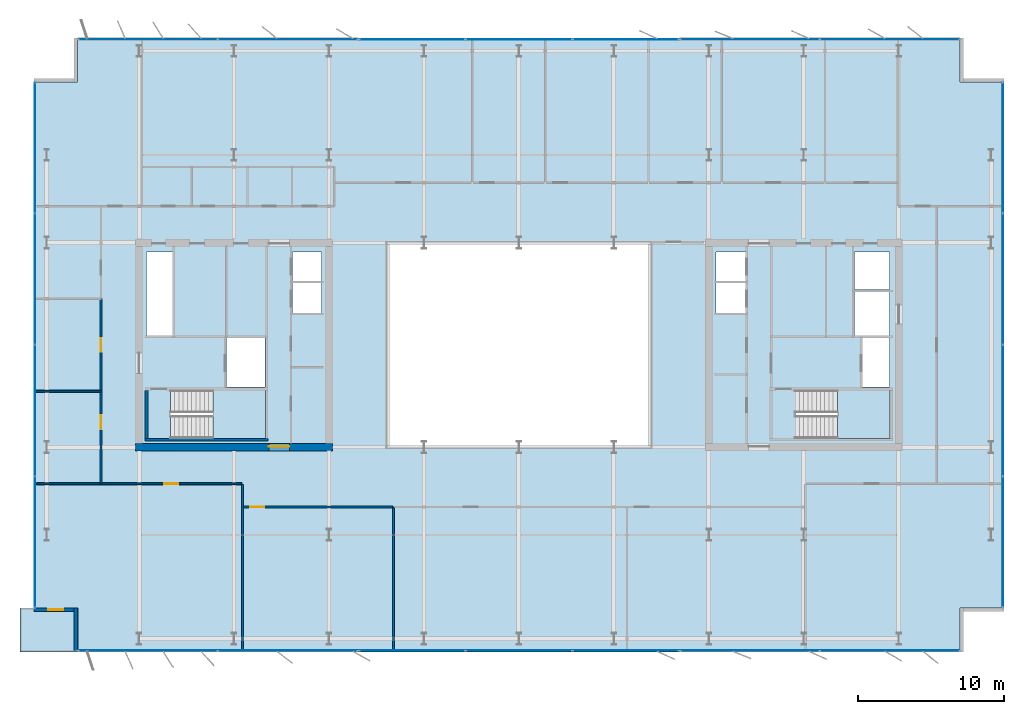
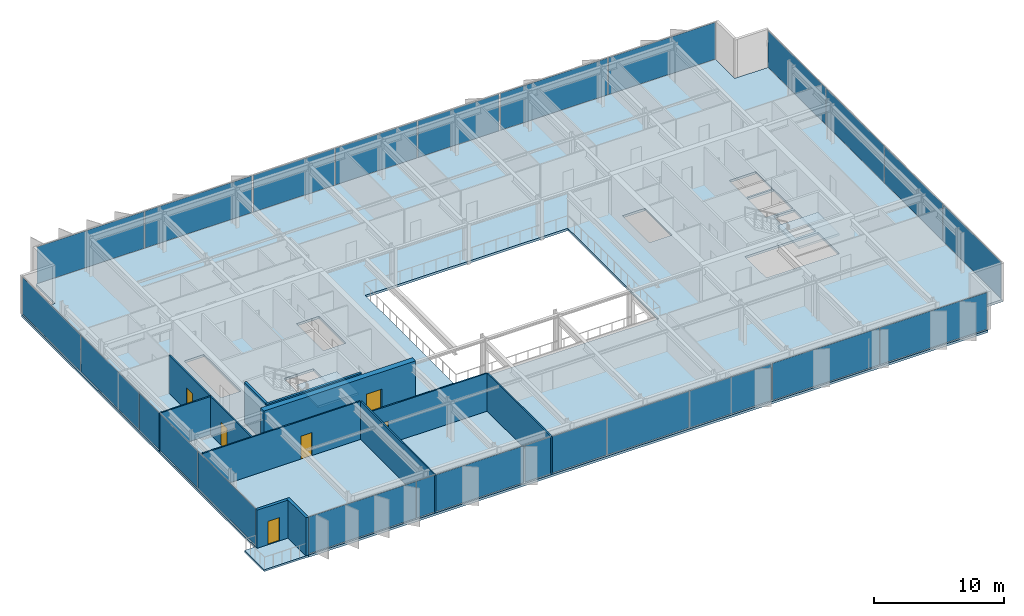
# One storey, part 16 of 23: 22 plates, 12 walls, 6 doors, 4 slabs, 6 openings, 10 elements without a shape of their own.
"""IFC4 building model written with IfcOpenShell, lengths in metres."""

from ifc_helpers import new_model, si_unit, direction, frame, frame_2d, origin, origin_2d, place, context, subcontext, project, spatial, polyline, rectangle, outline, extrude, material, layer, layer_set, type_object, element, fill, aggregate, save


model = new_model("IFC4")

# Units and contexts
model_context = context("Model", 3, precision=1e-05, world=origin(), true_north=direction((0.0, 1.0)))
body_context = subcontext(model_context, "Body", "Model", "MODEL_VIEW")
ifc_project = project(units=[si_unit("LENGTHUNIT", "METRE"), si_unit("AREAUNIT", "SQUARE_METRE"), si_unit("VOLUMEUNIT", "CUBIC_METRE"), si_unit("PLANEANGLEUNIT", "RADIAN"), si_unit("MASSUNIT", "GRAM", prefix="KILO")], contexts=[model_context])

# Site, building, storey
site_placement = place(None, origin())
site = spatial("IfcSite", under=ifc_project, at=site_placement, CompositionType="ELEMENT")
building_placement = place(site_placement, origin())
building = spatial("IfcBuilding", under=site, at=building_placement, Name="Putna Gate Headquarters", CompositionType="ELEMENT")
storey_placement = place(building_placement, frame((0.0, 0.0, 232.800048828125)))
storey = spatial("IfcBuildingStorey", under=building, at=storey_placement, Name="L58", CompositionType="ELEMENT", Elevation=232.800048828125)

# Stair, slab
ifc_material_1 = material(Name="Concrete C40/50", Category="concrete")
stair_type_1 = type_object("IfcStairType", Name="STAIR-ST1", PredefinedType="HALF_TURN_STAIR", material=ifc_material_1)
stair_1_placement = place(storey_placement, origin())
stair_1 = element("IfcStair", 1, at=stair_1_placement, inside=storey, type_object=stair_type_1, Name="L58 West Core Exit Stair ST1", PredefinedType="HALF_TURN_STAIR")
ifc_layer_1 = layer(ifc_material_1, 0.199951171875)
ifc_layer_set_1 = layer_set([ifc_layer_1], Name="Concrete C40/50")
slab_type_1 = type_object("IfcSlabType", Name="LANDING-ST1", PredefinedType="LANDING", material=ifc_layer_set_1)
slab_1_placement = place(storey_placement, frame((0.0, 0.0, 1.699951171875)))
slab_1 = element("IfcSlab", 2, at=slab_1_placement, type_object=slab_type_1, Name="ST1 landing 1", PredefinedType="LANDING", context=body_context, shape_type="SweptSolid", body=[
    extrude(outline(polyline([(18.050048828125, 19.60009765625), (21.64990234375, 19.60009765625), (21.64990234375, 22.89990234375), (18.050048828125, 22.89990234375), (18.050048828125, 19.60009765625)])), origin(), (0.0, 0.0, 1.0), 0.199951171875),
])
aggregate(stair_1, [slab_1])

stair_type_2 = type_object("IfcStairType", Name="STAIR-ST2", PredefinedType="HALF_TURN_STAIR", material=ifc_material_1)
stair_2_placement = place(storey_placement, origin())
stair_2 = element("IfcStair", 3, at=stair_2_placement, inside=storey, type_object=stair_type_2, Name="L58 East Core Exit Stair ST2", PredefinedType="HALF_TURN_STAIR")
ifc_layer_2 = layer(ifc_material_1, 0.199951171875)
ifc_layer_set_2 = layer_set([ifc_layer_2], Name="Concrete C40/50")
slab_type_2 = type_object("IfcSlabType", Name="LANDING-ST2", PredefinedType="LANDING", material=ifc_layer_set_2)
slab_2_placement = place(storey_placement, frame((0.0, 0.0, 1.699951171875)))
slab_2 = element("IfcSlab", 4, at=slab_2_placement, type_object=slab_type_2, Name="ST2 landing 1", PredefinedType="LANDING", context=body_context, shape_type="SweptSolid", body=[
    extrude(outline(polyline([(60.800048828125, 19.60009765625), (64.39990234375, 19.60009765625), (64.39990234375, 22.89990234375), (60.800048828125, 22.89990234375), (60.800048828125, 19.60009765625)])), origin(), (0.0, 0.0, 1.0), 0.199951171875),
])
aggregate(stair_2, [slab_2])

# Curtain wall, plates
ifc_material_2 = material(Name="Anodised bronze aluminium curtain wall", Category="aluminium")
ifc_layer_3 = layer(ifc_material_2, 0.139892578125)
ifc_layer_set_3 = layer_set([ifc_layer_3], Name="Anodised bronze aluminium curtain wall")
curtain_wall_type_1 = type_object("IfcCurtainWallType", Name="CW-SYS-Z4", PredefinedType="USERDEFINED", material=ifc_layer_set_3)
curtain_wall_1_placement = place(storey_placement, origin())
curtain_wall_1 = element("IfcCurtainWall", 5, at=curtain_wall_1_placement, inside=storey, type_object=curtain_wall_type_1, Name="L58 South West Curtain Wall", ObjectType="STICK CURTAIN WALL", PredefinedType="USERDEFINED")
ifc_material_3 = material(Name="Solar-control triple low-E glass", Category="glass")
ifc_layer_4 = layer(ifc_material_3, 0.02587890625)
ifc_layer_set_4 = layer_set([ifc_layer_4], Name="Solar-control triple low-E glass")
plate_type_1 = type_object("IfcPlateType", Name="PAN-CWP-4", PredefinedType="CURTAIN_PANEL", material=ifc_layer_set_4)
plate_1_placement = place(storey_placement, frame((13.614990234375, 5.080078125, 0.06005859375), z_axis=(0.0, 0.0, 1.0), x_axis=(1.0, 0.0, 0.0)))
plate_1 = element("IfcPlate", 6, at=plate_1_placement, type_object=plate_type_1, Name="CWS-4 panel 1.1", PredefinedType="CURTAIN_PANEL", context=body_context, shape_type="SweptSolid", body=[
    extrude(rectangle(XDim=9.510009765625, YDim=0.02587890625, at=origin_2d()), origin(), (0.0, 0.0, 1.0), 3.4599609375),
])
plate_2_placement = place(storey_placement, frame((23.18505859375, 5.080078125, 0.06005859375), z_axis=(0.0, 0.0, 1.0), x_axis=(1.0, 0.0, 0.0)))
plate_2 = element("IfcPlate", 7, at=plate_2_placement, type_object=plate_type_1, Name="CWS-4 panel 2.1", PredefinedType="CURTAIN_PANEL", context=body_context, shape_type="SweptSolid", body=[
    extrude(rectangle(XDim=9.510009765625, YDim=0.02587890625, at=origin_2d()), origin(), (0.0, 0.0, 1.0), 3.4599609375),
])
aggregate(curtain_wall_1, [plate_1, plate_2])

curtain_wall_2_placement = place(storey_placement, origin())
curtain_wall_2 = element("IfcCurtainWall", 8, at=curtain_wall_2_placement, inside=storey, type_object=curtain_wall_type_1, Name="L58 South East Curtain Wall", ObjectType="STICK CURTAIN WALL", PredefinedType="USERDEFINED")
plate_3_placement = place(storey_placement, frame((54.81494140625, 5.080078125, 0.06005859375), z_axis=(0.0, 0.0, 1.0), x_axis=(1.0, 0.0, 0.0)))
plate_3 = element("IfcPlate", 9, at=plate_3_placement, type_object=plate_type_1, Name="CWS-4 panel 1.1", PredefinedType="CURTAIN_PANEL", context=body_context, shape_type="SweptSolid", body=[
    extrude(rectangle(XDim=9.510009765625, YDim=0.02587890625, at=origin_2d()), origin(), (0.0, 0.0, 1.0), 3.4599609375),
])
plate_4_placement = place(storey_placement, frame((64.385009765625, 5.080078125, 0.06005859375), z_axis=(0.0, 0.0, 1.0), x_axis=(1.0, 0.0, 0.0)))
plate_4 = element("IfcPlate", 10, at=plate_4_placement, type_object=plate_type_1, Name="CWS-4 panel 2.1", PredefinedType="CURTAIN_PANEL", context=body_context, shape_type="SweptSolid", body=[
    extrude(rectangle(XDim=9.510009765625, YDim=0.02587890625, at=origin_2d()), origin(), (0.0, 0.0, 1.0), 3.4599609375),
])
aggregate(curtain_wall_2, [plate_3, plate_4])

curtain_wall_3_placement = place(storey_placement, origin())
curtain_wall_3 = element("IfcCurtainWall", 11, at=curtain_wall_3_placement, inside=storey, type_object=curtain_wall_type_1, Name="L58 North West Curtain Wall", ObjectType="STICK CURTAIN WALL", PredefinedType="USERDEFINED")
plate_5_placement = place(storey_placement, frame((13.614990234375, 46.919921875, 0.06005859375), z_axis=(0.0, 0.0, 1.0), x_axis=(1.0, 0.0, 0.0)))
plate_5 = element("IfcPlate", 12, at=plate_5_placement, type_object=plate_type_1, Name="CWS-4 panel 1.1", PredefinedType="CURTAIN_PANEL", context=body_context, shape_type="SweptSolid", body=[
    extrude(rectangle(XDim=9.510009765625, YDim=0.02587890625, at=origin_2d()), origin(), (0.0, 0.0, 1.0), 3.4599609375),
])
plate_6_placement = place(storey_placement, frame((23.18505859375, 46.919921875, 0.06005859375), z_axis=(0.0, 0.0, 1.0), x_axis=(1.0, 0.0, 0.0)))
plate_6 = element("IfcPlate", 13, at=plate_6_placement, type_object=plate_type_1, Name="CWS-4 panel 2.1", PredefinedType="CURTAIN_PANEL", context=body_context, shape_type="SweptSolid", body=[
    extrude(rectangle(XDim=9.510009765625, YDim=0.02587890625, at=origin_2d()), origin(), (0.0, 0.0, 1.0), 3.4599609375),
])
aggregate(curtain_wall_3, [plate_5, plate_6])

curtain_wall_4_placement = place(storey_placement, origin())
curtain_wall_4 = element("IfcCurtainWall", 14, at=curtain_wall_4_placement, inside=storey, type_object=curtain_wall_type_1, Name="L58 North East Curtain Wall", ObjectType="STICK CURTAIN WALL", PredefinedType="USERDEFINED")
plate_7_placement = place(storey_placement, frame((54.81494140625, 46.919921875, 0.06005859375), z_axis=(0.0, 0.0, 1.0), x_axis=(1.0, 0.0, 0.0)))
plate_7 = element("IfcPlate", 15, at=plate_7_placement, type_object=plate_type_1, Name="CWS-4 panel 1.1", PredefinedType="CURTAIN_PANEL", context=body_context, shape_type="SweptSolid", body=[
    extrude(rectangle(XDim=9.510009765625, YDim=0.02587890625, at=origin_2d()), origin(), (0.0, 0.0, 1.0), 3.4599609375),
])
plate_8_placement = place(storey_placement, frame((64.385009765625, 46.919921875, 0.06005859375), z_axis=(0.0, 0.0, 1.0), x_axis=(1.0, 0.0, 0.0)))
plate_8 = element("IfcPlate", 16, at=plate_8_placement, type_object=plate_type_1, Name="CWS-4 panel 2.1", PredefinedType="CURTAIN_PANEL", context=body_context, shape_type="SweptSolid", body=[
    extrude(rectangle(XDim=9.510009765625, YDim=0.02587890625, at=origin_2d()), origin(), (0.0, 0.0, 1.0), 3.4599609375),
])
aggregate(curtain_wall_4, [plate_7, plate_8])

curtain_wall_5_placement = place(storey_placement, origin())
curtain_wall_5 = element("IfcCurtainWall", 17, at=curtain_wall_5_placement, inside=storey, type_object=curtain_wall_type_1, Name="L58 West Curtain Wall", ObjectType="STICK CURTAIN WALL", PredefinedType="USERDEFINED")
plate_9_placement = place(storey_placement, frame((5.8798828125, 12.514892578125, 0.06005859375), z_axis=(0.0, 0.0, 1.0), x_axis=(0.0, 1.0, 0.0)))
plate_9 = element("IfcPlate", 18, at=plate_9_placement, type_object=plate_type_1, Name="CWS-4 panel 1.1", PredefinedType="CURTAIN_PANEL", context=body_context, shape_type="SweptSolid", body=[
    extrude(rectangle(XDim=8.909912109375, YDim=0.02587890625, at=origin_2d()), origin(), (0.0, 0.0, 1.0), 3.4599609375),
])
plate_10_placement = place(storey_placement, frame((5.8798828125, 21.5, 0.06005859375), z_axis=(0.0, 0.0, 1.0), x_axis=(0.0, 1.0, 0.0)))
plate_10 = element("IfcPlate", 19, at=plate_10_placement, type_object=plate_type_1, Name="CWS-4 panel 2.1", PredefinedType="CURTAIN_PANEL", context=body_context, shape_type="SweptSolid", body=[
    extrude(rectangle(XDim=8.93994140625, YDim=0.02587890625, at=origin_2d()), origin(), (0.0, 0.0, 1.0), 3.4599609375),
])
plate_11_placement = place(storey_placement, frame((5.8798828125, 30.5, 0.06005859375), z_axis=(0.0, 0.0, 1.0), x_axis=(0.0, 1.0, 0.0)))
plate_11 = element("IfcPlate", 20, at=plate_11_placement, type_object=plate_type_1, Name="CWS-4 panel 3.1", PredefinedType="CURTAIN_PANEL", context=body_context, shape_type="SweptSolid", body=[
    extrude(rectangle(XDim=8.93994140625, YDim=0.02587890625, at=origin_2d()), origin(), (0.0, 0.0, 1.0), 3.4599609375),
])
plate_12_placement = place(storey_placement, frame((5.8798828125, 39.485107421875, 0.06005859375), z_axis=(0.0, 0.0, 1.0), x_axis=(0.0, 1.0, 0.0)))
plate_12 = element("IfcPlate", 21, at=plate_12_placement, type_object=plate_type_1, Name="CWS-4 panel 4.1", PredefinedType="CURTAIN_PANEL", context=body_context, shape_type="SweptSolid", body=[
    extrude(rectangle(XDim=8.909912109375, YDim=0.02587890625, at=origin_2d()), origin(), (0.0, 0.0, 1.0), 3.4599609375),
])
aggregate(curtain_wall_5, [plate_9, plate_10, plate_11, plate_12])

curtain_wall_6_placement = place(storey_placement, origin())
curtain_wall_6 = element("IfcCurtainWall", 22, at=curtain_wall_6_placement, inside=storey, type_object=curtain_wall_type_1, Name="L58 East Curtain Wall", ObjectType="STICK CURTAIN WALL", PredefinedType="USERDEFINED")
plate_13_placement = place(storey_placement, frame((72.1201171875, 12.514892578125, 0.06005859375), z_axis=(0.0, 0.0, 1.0), x_axis=(0.0, 1.0, 0.0)))
plate_13 = element("IfcPlate", 23, at=plate_13_placement, type_object=plate_type_1, Name="CWS-4 panel 1.1", PredefinedType="CURTAIN_PANEL", context=body_context, shape_type="SweptSolid", body=[
    extrude(rectangle(XDim=8.909912109375, YDim=0.02587890625, at=origin_2d()), origin(), (0.0, 0.0, 1.0), 3.4599609375),
])
plate_14_placement = place(storey_placement, frame((72.1201171875, 21.5, 0.06005859375), z_axis=(0.0, 0.0, 1.0), x_axis=(0.0, 1.0, 0.0)))
plate_14 = element("IfcPlate", 24, at=plate_14_placement, type_object=plate_type_1, Name="CWS-4 panel 2.1", PredefinedType="CURTAIN_PANEL", context=body_context, shape_type="SweptSolid", body=[
    extrude(rectangle(XDim=8.93994140625, YDim=0.02587890625, at=origin_2d()), origin(), (0.0, 0.0, 1.0), 3.4599609375),
])
plate_15_placement = place(storey_placement, frame((72.1201171875, 30.5, 0.06005859375), z_axis=(0.0, 0.0, 1.0), x_axis=(0.0, 1.0, 0.0)))
plate_15 = element("IfcPlate", 25, at=plate_15_placement, type_object=plate_type_1, Name="CWS-4 panel 3.1", PredefinedType="CURTAIN_PANEL", context=body_context, shape_type="SweptSolid", body=[
    extrude(rectangle(XDim=8.93994140625, YDim=0.02587890625, at=origin_2d()), origin(), (0.0, 0.0, 1.0), 3.4599609375),
])
plate_16_placement = place(storey_placement, frame((72.1201171875, 39.485107421875, 0.06005859375), z_axis=(0.0, 0.0, 1.0), x_axis=(0.0, 1.0, 0.0)))
plate_16 = element("IfcPlate", 26, at=plate_16_placement, type_object=plate_type_1, Name="CWS-4 panel 4.1", PredefinedType="CURTAIN_PANEL", context=body_context, shape_type="SweptSolid", body=[
    extrude(rectangle(XDim=8.909912109375, YDim=0.02587890625, at=origin_2d()), origin(), (0.0, 0.0, 1.0), 3.4599609375),
])
aggregate(curtain_wall_6, [plate_13, plate_14, plate_15, plate_16])

ifc_layer_5 = layer(ifc_material_2, 0.179931640625)
ifc_layer_set_5 = layer_set([ifc_layer_5], Name="Anodised bronze aluminium curtain wall")
curtain_wall_type_2 = type_object("IfcCurtainWallType", Name="CW-SYS-ATR", PredefinedType="USERDEFINED", material=ifc_layer_set_5)
curtain_wall_7_placement = place(storey_placement, origin())
curtain_wall_7 = element("IfcCurtainWall", 27, at=curtain_wall_7_placement, inside=storey, type_object=curtain_wall_type_2, Name="L58 South Atrium Clear Glazing", ObjectType="ATRIUM GLAZING", PredefinedType="USERDEFINED")
ifc_material_4 = material(Name="Clear low-iron triple glazing", Category="glass")
ifc_layer_6 = layer(ifc_material_4, 0.0400390625)
ifc_layer_set_6 = layer_set([ifc_layer_6], Name="Clear low-iron triple glazing")
plate_type_2 = type_object("IfcPlateType", Name="PAN-CWP-AT", PredefinedType="CURTAIN_PANEL", material=ifc_layer_set_6)
plate_17_placement = place(storey_placement, frame((31.68408203125, 5.080078125, 0.070068359375), z_axis=(0.0, 0.0, 1.0), x_axis=(1.0, 0.0, 0.0)))
plate_17 = element("IfcPlate", 28, at=plate_17_placement, type_object=plate_type_2, Name="CWS-AT panel 1.1", PredefinedType="CURTAIN_PANEL", context=body_context, shape_type="SweptSolid", body=[
    extrude(rectangle(XDim=7.228271484375, YDim=0.0400390625, at=origin_2d()), origin(), (0.0, 0.0, 1.0), 3.43994140625),
])
plate_18_placement = place(storey_placement, frame((39.0, 5.080078125, 0.070068359375), z_axis=(0.0, 0.0, 1.0), x_axis=(1.0, 0.0, 0.0)))
plate_18 = element("IfcPlate", 29, at=plate_18_placement, type_object=plate_type_2, Name="CWS-AT panel 2.1", PredefinedType="CURTAIN_PANEL", context=body_context, shape_type="SweptSolid", body=[
    extrude(rectangle(XDim=7.263427734375, YDim=0.0400390625, at=origin_2d()), origin(), (0.0, 0.0, 1.0), 3.43994140625),
])
plate_19_placement = place(storey_placement, frame((46.31591796875, 5.080078125, 0.070068359375), z_axis=(0.0, 0.0, 1.0), x_axis=(1.0, 0.0, 0.0)))
plate_19 = element("IfcPlate", 30, at=plate_19_placement, type_object=plate_type_2, Name="CWS-AT panel 3.1", PredefinedType="CURTAIN_PANEL", context=body_context, shape_type="SweptSolid", body=[
    extrude(rectangle(XDim=7.228271484375, YDim=0.0400390625, at=origin_2d()), origin(), (0.0, 0.0, 1.0), 3.43994140625),
])
aggregate(curtain_wall_7, [plate_17, plate_18, plate_19])

curtain_wall_8_placement = place(storey_placement, origin())
curtain_wall_8 = element("IfcCurtainWall", 31, at=curtain_wall_8_placement, inside=storey, type_object=curtain_wall_type_2, Name="L58 North Atrium Clear Glazing", ObjectType="ATRIUM GLAZING", PredefinedType="USERDEFINED")
plate_20_placement = place(storey_placement, frame((31.68408203125, 46.919921875, 0.070068359375), z_axis=(0.0, 0.0, 1.0), x_axis=(1.0, 0.0, 0.0)))
plate_20 = element("IfcPlate", 32, at=plate_20_placement, type_object=plate_type_2, Name="CWS-AT panel 1.1", PredefinedType="CURTAIN_PANEL", context=body_context, shape_type="SweptSolid", body=[
    extrude(rectangle(XDim=7.228271484375, YDim=0.0400390625, at=origin_2d()), origin(), (0.0, 0.0, 1.0), 3.43994140625),
])
plate_21_placement = place(storey_placement, frame((39.0, 46.919921875, 0.070068359375), z_axis=(0.0, 0.0, 1.0), x_axis=(1.0, 0.0, 0.0)))
plate_21 = element("IfcPlate", 33, at=plate_21_placement, type_object=plate_type_2, Name="CWS-AT panel 2.1", PredefinedType="CURTAIN_PANEL", context=body_context, shape_type="SweptSolid", body=[
    extrude(rectangle(XDim=7.263427734375, YDim=0.0400390625, at=origin_2d()), origin(), (0.0, 0.0, 1.0), 3.43994140625),
])
plate_22_placement = place(storey_placement, frame((46.31591796875, 46.919921875, 0.070068359375), z_axis=(0.0, 0.0, 1.0), x_axis=(1.0, 0.0, 0.0)))
plate_22 = element("IfcPlate", 34, at=plate_22_placement, type_object=plate_type_2, Name="CWS-AT panel 3.1", PredefinedType="CURTAIN_PANEL", context=body_context, shape_type="SweptSolid", body=[
    extrude(rectangle(XDim=7.228271484375, YDim=0.0400390625, at=origin_2d()), origin(), (0.0, 0.0, 1.0), 3.43994140625),
])
aggregate(curtain_wall_8, [plate_20, plate_21, plate_22])

# Slabs
ifc_layer_7 = layer(ifc_material_1, 0.179931640625)
ifc_layer_set_7 = layer_set([ifc_layer_7], Name="Concrete C40/50")
slab_type_3 = type_object("IfcSlabType", Name="SLAB-TERRACE-180", PredefinedType="FLOOR", material=ifc_layer_set_7)
slab_3_placement = place(storey_placement, frame((0.0, 0.0, -0.179931640625)))
element("IfcSlab", 35, at=slab_3_placement, inside=storey, type_object=slab_type_3, Name="L58 Spiral Sky-Garden Terrace Slab (SW)", PredefinedType="FLOOR", context=body_context, shape_type="SweptSolid", body=[
    extrude(outline(polyline([(4.85009765625, 5.0), (8.80810546875, 5.0), (8.80810546875, 8.008056640625), (4.85009765625, 8.008056640625), (4.85009765625, 5.0)])), origin(), (0.0, 0.0, 1.0), 0.179931640625),
])
ifc_layer_8 = layer(ifc_material_1, 0.219970703125)
ifc_layer_set_8 = layer_set([ifc_layer_8], Name="Concrete C40/50")
slab_type_4 = type_object("IfcSlabType", Name="SLAB-Z4-220", PredefinedType="FLOOR", material=ifc_layer_set_8)
slab_4_placement = place(storey_placement, frame((0.0, 0.0, -0.219970703125)))
element("IfcSlab", 36, at=slab_4_placement, inside=storey, type_object=slab_type_4, Name="L58 Composite Floor Slab", PredefinedType="FLOOR", context=body_context, shape_type="SweptSolid", body=[
    extrude(outline(polyline([(8.800048828125, 5.0), (69.199951171875, 5.0), (69.199951171875, 8.0), (72.199951171875, 8.0), (72.199951171875, 44.0), (69.199951171875, 44.0), (69.199951171875, 47.0), (8.800048828125, 47.0), (8.800048828125, 44.0), (5.800048828125, 44.0), (5.800048828125, 8.0), (8.800048828125, 8.0), (8.800048828125, 5.0)]), holes=[polyline([(15.1650390625, 19.60009765625), (21.64990234375, 19.60009765625), (21.64990234375, 22.89990234375), (15.1650390625, 22.89990234375), (15.1650390625, 19.60009765625)]), polyline([(57.9150390625, 19.60009765625), (64.39990234375, 19.60009765625), (64.39990234375, 22.89990234375), (57.9150390625, 22.89990234375), (57.9150390625, 19.60009765625)]), polyline([(13.52001953125, 26.659912109375), (15.280029296875, 26.659912109375), (15.280029296875, 32.35009765625), (13.52001953125, 32.35009765625), (13.52001953125, 26.659912109375)]), polyline([(61.969970703125, 29.780029296875), (64.35009765625, 29.780029296875), (64.35009765625, 32.35009765625), (61.969970703125, 32.35009765625), (61.969970703125, 29.780029296875)]), polyline([(18.97998046875, 23.1201171875), (21.6201171875, 23.1201171875), (21.6201171875, 26.4599609375), (18.97998046875, 26.4599609375), (18.97998046875, 23.1201171875)]), polyline([(62.52001953125, 23.1201171875), (64.35009765625, 23.1201171875), (64.35009765625, 26.4599609375), (62.52001953125, 26.4599609375), (62.52001953125, 23.1201171875)]), polyline([(61.969970703125, 26.659912109375), (64.35009765625, 26.659912109375), (64.35009765625, 29.6201171875), (61.969970703125, 29.6201171875), (61.969970703125, 26.659912109375)]), polyline([(23.5, 28.199951171875), (25.5, 28.199951171875), (25.5, 32.35009765625), (23.5, 32.35009765625), (23.5, 28.199951171875)]), polyline([(52.47998046875, 28.199951171875), (54.5, 28.199951171875), (54.5, 32.35009765625), (52.47998046875, 32.35009765625), (52.47998046875, 28.199951171875)]), polyline([(30.0, 19.0), (48.0, 19.0), (48.0, 33.0), (30.0, 33.0), (30.0, 19.0)])]), origin(), (0.0, 0.0, 1.0), 0.219970703125),
])

# Wall, opening, door
ifc_material_5 = material(Name="Concrete C50/60", Category="concrete")
ifc_layer_9 = layer(ifc_material_5, 0.5)
ifc_layer_set_9 = layer_set([ifc_layer_9], Name="Concrete C50/60")
wall_type_1 = type_object("IfcWallType", Name="WALL-CORE-500", PredefinedType="SHEAR", material=ifc_layer_set_9)
wall_1_placement = place(storey_placement, frame((12.75, 19.0, 0.0), z_axis=(0.0, 0.0, 1.0), x_axis=(1.0, 0.0, 0.0)))
wall_1 = element("IfcWall", 37, at=wall_1_placement, inside=storey, type_object=wall_type_1, Name="L58 WC Split Core Shear Wall S", PredefinedType="SHEAR", context=body_context, shape_type="SweptSolid", body=[
    extrude(rectangle(XDim=13.5, YDim=0.5, at=frame_2d((6.75, 0.0))), origin(), (0.0, 0.0, 1.0), 3.800048828125),
])
opening_1_placement = place(wall_1_placement, frame((9.1298828125, 0.0, 0.0)))
opening_1 = element("IfcOpeningElement", 38, at=opening_1_placement, cuts=wall_1, Name="Opening FDD-140", PredefinedType="OPENING", context=body_context, shape_type="SweptSolid", body=[
    extrude(rectangle(XDim=1.39990234375, YDim=2.199951171875, at=frame_2d((0.699951171875, 1.10009765625))), frame((0.0, 0.260009765625, 0.0), z_axis=(0.0, -1.0, 0.0), x_axis=(1.0, 0.0, 0.0)), (0.0, 0.0, 1.0), 0.52001953125),
])
ifc_material_6 = material(Name="Double steel fire door", Category="steel")
door_type_1 = type_object("IfcDoorType", Name="DOOR-FIRE-DBL-1400", OperationType="DOUBLE_DOOR_SINGLE_SWING", PredefinedType="DOOR", material=ifc_material_6)
door_1_placement = place(opening_1_placement, origin())
door_1 = element("IfcDoor", 39, at=door_1_placement, inside=storey, type_object=door_type_1, Name="L58 West Lift Lobby South Door", OperationType="DOUBLE_DOOR_SINGLE_SWING", OverallHeight=2.199951171875, OverallWidth=1.39990234375, PredefinedType="DOOR", context=body_context, shape_type="SweptSolid", body=[
    extrude(rectangle(XDim=1.39990234375, YDim=2.199951171875, at=frame_2d((0.699951171875, 1.10009765625))), frame((0.0, 0.0751953125, 0.0), z_axis=(0.0, -1.0, 0.0), x_axis=(1.0, 0.0, 0.0)), (0.0, 0.0, 1.0), 0.050048828125),
])
fill(opening_1, door_1)

# Wall
ifc_material_7 = material(Name="Precast concrete C40/50", Category="concrete")
ifc_layer_10 = layer(ifc_material_7, 0.239990234375)
ifc_layer_set_10 = layer_set([ifc_layer_10], Name="Precast concrete C40/50")
wall_type_2 = type_object("IfcWallType", Name="WALL-EXT-TERR-240", PredefinedType="STANDARD", material=ifc_layer_set_10)
wall_2_placement = place(storey_placement, frame((8.679931640625, 5.0, 0.0), z_axis=(0.0, 0.0, 1.0), x_axis=(0.0, 1.0, 0.0)))
element("IfcWall", 40, at=wall_2_placement, inside=storey, type_object=wall_type_2, Name="L58 Corner Notch Return Wall SW-V", PredefinedType="STANDARD", context=body_context, shape_type="SweptSolid", body=[
    extrude(rectangle(XDim=3.0, YDim=0.239990234375, at=frame_2d((1.5, 0.0))), origin(), (0.0, 0.0, 1.0), 3.579833984375),
])

# Wall, opening, door
wall_3_placement = place(storey_placement, frame((8.800048828125, 7.8798828125, 0.0), z_axis=(0.0, 0.0, 1.0), x_axis=(-1.0, 0.0, 0.0)))
wall_3 = element("IfcWall", 41, at=wall_3_placement, inside=storey, type_object=wall_type_2, Name="L58 Corner Notch Return Wall SW-H", PredefinedType="STANDARD", context=body_context, shape_type="SweptSolid", body=[
    extrude(rectangle(XDim=3.0, YDim=0.239990234375, at=frame_2d((1.5, 0.0))), origin(), (0.0, 0.0, 1.0), 3.579833984375),
])
opening_2_placement = place(wall_3_placement, frame((1.0, 0.0, 0.0)))
opening_2 = element("IfcOpeningElement", 42, at=opening_2_placement, cuts=wall_3, Name="Opening TRD-1", PredefinedType="OPENING", context=body_context, shape_type="SweptSolid", body=[
    extrude(rectangle(XDim=1.0, YDim=2.199951171875, at=frame_2d((0.5, 1.10009765625))), frame((0.0, 0.1298828125, 0.0), z_axis=(0.0, -1.0, 0.0), x_axis=(1.0, 0.0, 0.0)), (0.0, 0.0, 1.0), 0.260009765625),
])
ifc_material_8 = material(Name="Thermally broken bronze glazed terrace door")
door_type_2 = type_object("IfcDoorType", Name="DOOR-TERR-EXT-1000", OperationType="NOTDEFINED", PredefinedType="DOOR", material=ifc_material_8)
door_2_placement = place(opening_2_placement, origin())
door_2 = element("IfcDoor", 43, at=door_2_placement, inside=storey, type_object=door_type_2, Name="L58 Spiral Sky Terrace Door SW", OperationType="SINGLE_SWING_LEFT", OverallHeight=2.199951171875, OverallWidth=1.0, PredefinedType="DOOR", context=body_context, shape_type="SweptSolid", body=[
    extrude(rectangle(XDim=1.0, YDim=2.199951171875, at=frame_2d((0.5, 1.10009765625))), frame((0.0, 0.02490234375, 0.0), z_axis=(0.0, -1.0, 0.0), x_axis=(1.0, 0.0, 0.0)), (0.0, 0.0, 1.0), 0.050048828125),
])
fill(opening_2, door_2)

# Walls
ifc_material_9 = material(Name="Acoustic gypsum board on metal stud")
ifc_layer_11 = layer(ifc_material_9, 0.1201171875)
ifc_layer_set_11 = layer_set([ifc_layer_11], Name="Acoustic gypsum board on metal stud")
wall_type_3 = type_object("IfcWallType", Name="WALL-PART-120", PredefinedType="PARTITIONING", material=ifc_layer_set_11)
wall_4_placement = place(storey_placement, frame((20.07958984375, 5.02001953125, 0.0), z_axis=(0.0, 0.0, 1.0), x_axis=(0.0, 1.0, 0.0)))
element("IfcWall", 44, at=wall_4_placement, inside=storey, type_object=wall_type_3, Name="L58 Interior Wall PART-L58-SB-DIV-01", PredefinedType="PARTITIONING", context=body_context, shape_type="SweptSolid", body=[
    extrude(rectangle(XDim=11.419921875, YDim=0.1201171875, at=frame_2d((5.7099609375, 0.0))), origin(), (0.0, 0.0, 1.0), 3.579833984375),
])
wall_5_placement = place(storey_placement, frame((30.408203125, 5.02001953125, 0.0), z_axis=(0.0, 0.0, 1.0), x_axis=(0.0, 1.0, 0.0)))
element("IfcWall", 45, at=wall_5_placement, inside=storey, type_object=wall_type_3, Name="L58 Interior Wall PART-L58-SB-DIV-02", PredefinedType="PARTITIONING", context=body_context, shape_type="SweptSolid", body=[
    extrude(rectangle(XDim=9.820068359375, YDim=0.1201171875, at=frame_2d((4.91015625, 0.0))), origin(), (0.0, 0.0, 1.0), 3.579833984375),
])
wall_6_placement = place(storey_placement, frame((5.820068359375, 22.833251953125, 0.0), z_axis=(0.0, 0.0, 1.0), x_axis=(1.0, 0.0, 0.0)))
element("IfcWall", 46, at=wall_6_placement, inside=storey, type_object=wall_type_3, Name="L58 Interior Wall PART-L58-WW-DIV-1", PredefinedType="PARTITIONING", context=body_context, shape_type="SweptSolid", body=[
    extrude(rectangle(XDim=4.579833984375, YDim=0.1201171875, at=frame_2d((2.2900390625, 0.0))), origin(), (0.0, 0.0, 1.0), 3.579833984375),
])

# Wall, opening, door
ifc_material_10 = material(Name="Fire-rated gypsum board on metal stud")
ifc_layer_12 = layer(ifc_material_10, 0.1201171875)
ifc_layer_set_12 = layer_set([ifc_layer_12], Name="Fire-rated gypsum board on metal stud")
wall_type_4 = type_object("IfcWallType", Name="WALL-PART-120-RATED", PredefinedType="PARTITIONING", material=ifc_layer_set_12)
wall_7_placement = place(storey_placement, frame((5.97998046875, 16.5, 0.0), z_axis=(0.0, 0.0, 1.0), x_axis=(1.0, 0.0, 0.0)))
wall_7 = element("IfcWall", 47, at=wall_7_placement, inside=storey, type_object=wall_type_4, Name="L58 Interior Wall PART-L58-SB-CW-01", PredefinedType="PARTITIONING", context=body_context, shape_type="SweptSolid", body=[
    extrude(rectangle(XDim=14.03955078125, YDim=0.1201171875, at=frame_2d((7.019775390625, 0.0))), origin(), (0.0, 0.0, 1.0), 3.579833984375),
])
opening_3_placement = place(wall_7_placement, frame((8.7548828125, 0.0, 0.0)))
opening_3 = element("IfcOpeningElement", 48, at=opening_3_placement, cuts=wall_7, Name="Opening FD-95", PredefinedType="OPENING", context=body_context, shape_type="SweptSolid", body=[
    extrude(rectangle(XDim=0.949951171875, YDim=2.14990234375, at=frame_2d((0.47509765625, 1.074951171875))), frame((0.0, 0.070068359375, 0.0), z_axis=(0.0, -1.0, 0.0), x_axis=(1.0, 0.0, 0.0)), (0.0, 0.0, 1.0), 0.14013671875),
])
ifc_material_11 = material(Name="Acoustic timber fire door", Category="wood")
door_type_3 = type_object("IfcDoorType", Name="DOOR-FIRE-950", OperationType="NOTDEFINED", PredefinedType="DOOR", material=ifc_material_11)
door_3_placement = place(opening_3_placement, origin())
door_3 = element("IfcDoor", 49, at=door_3_placement, inside=storey, type_object=door_type_3, Name="L58 Conference Meeting Room 1 Door", OperationType="SINGLE_SWING_RIGHT", OverallHeight=2.14990234375, OverallWidth=0.949951171875, PredefinedType="DOOR", context=body_context, shape_type="SweptSolid", body=[
    extrude(rectangle(XDim=0.949951171875, YDim=2.14990234375, at=frame_2d((0.47509765625, 1.074951171875))), frame((0.0, 0.02490234375, 0.0), z_axis=(0.0, -1.0, 0.0), x_axis=(1.0, 0.0, 0.0)), (0.0, 0.0, 1.0), 0.050048828125),
])
fill(opening_3, door_3)

wall_8_placement = place(storey_placement, frame((20.139404296875, 14.89990234375, 0.0), z_axis=(0.0, 0.0, 1.0), x_axis=(1.0, 0.0, 0.0)))
wall_8 = element("IfcWall", 50, at=wall_8_placement, inside=storey, type_object=wall_type_4, Name="L58 Interior Wall PART-L58-SB-CW-02", PredefinedType="PARTITIONING", context=body_context, shape_type="SweptSolid", body=[
    extrude(rectangle(XDim=10.208740234375, YDim=0.1201171875, at=frame_2d((5.1044921875, 0.0))), origin(), (0.0, 0.0, 1.0), 3.579833984375),
])
opening_4_placement = place(wall_8_placement, frame((0.47998046875, 0.0, 0.0)))
opening_4 = element("IfcOpeningElement", 51, at=opening_4_placement, cuts=wall_8, Name="Opening FD-95", PredefinedType="OPENING", context=body_context, shape_type="SweptSolid", body=[
    extrude(rectangle(XDim=0.949951171875, YDim=2.14990234375, at=frame_2d((0.47509765625, 1.074951171875))), frame((0.0, 0.070068359375, 0.0), z_axis=(0.0, -1.0, 0.0), x_axis=(1.0, 0.0, 0.0)), (0.0, 0.0, 1.0), 0.14013671875),
])
door_4_placement = place(opening_4_placement, origin())
door_4 = element("IfcDoor", 52, at=door_4_placement, inside=storey, type_object=door_type_3, Name="L58 Cellular Office 1 Door", OperationType="SINGLE_SWING_LEFT", OverallHeight=2.14990234375, OverallWidth=0.949951171875, PredefinedType="DOOR", context=body_context, shape_type="SweptSolid", body=[
    extrude(rectangle(XDim=0.949951171875, YDim=2.14990234375, at=frame_2d((0.47509765625, 1.074951171875))), frame((0.0, 0.02490234375, 0.0), z_axis=(0.0, -1.0, 0.0), x_axis=(1.0, 0.0, 0.0)), (0.0, 0.0, 1.0), 0.050048828125),
])
fill(opening_4, door_4)

wall_9_placement = place(storey_placement, frame((10.39990234375, 16.5, 0.0), z_axis=(0.0, 0.0, 1.0), x_axis=(0.0, 1.0, 0.0)))
wall_9 = element("IfcWall", 53, at=wall_9_placement, inside=storey, type_object=wall_type_4, Name="L58 Interior Wall PART-L58-WW-CW-1", PredefinedType="PARTITIONING", context=body_context, shape_type="SweptSolid", body=[
    extrude(rectangle(XDim=6.333251953125, YDim=0.1201171875, at=frame_2d((3.16650390625, 0.0))), origin(), (0.0, 0.0, 1.0), 3.579833984375),
])
opening_5_placement = place(wall_9_placement, frame((3.74169921875, 0.0, 0.0)))
opening_5 = element("IfcOpeningElement", 54, at=opening_5_placement, cuts=wall_9, Name="Opening FD-95", PredefinedType="OPENING", context=body_context, shape_type="SweptSolid", body=[
    extrude(rectangle(XDim=0.949951171875, YDim=2.14990234375, at=frame_2d((0.47509765625, 1.074951171875))), frame((0.0, 0.070068359375, 0.0), z_axis=(0.0, -1.0, 0.0), x_axis=(1.0, 0.0, 0.0)), (0.0, 0.0, 1.0), 0.14013671875),
])
door_5_placement = place(opening_5_placement, origin())
door_5 = element("IfcDoor", 55, at=door_5_placement, inside=storey, type_object=door_type_3, Name="L58 West Executive Office 1 Door", OperationType="SINGLE_SWING_LEFT", OverallHeight=2.14990234375, OverallWidth=0.949951171875, PredefinedType="DOOR", context=body_context, shape_type="SweptSolid", body=[
    extrude(rectangle(XDim=0.949951171875, YDim=2.14990234375, at=frame_2d((0.47509765625, 1.074951171875))), frame((0.0, 0.02490234375, 0.0), z_axis=(0.0, -1.0, 0.0), x_axis=(1.0, 0.0, 0.0)), (0.0, 0.0, 1.0), 0.050048828125),
])
fill(opening_5, door_5)

wall_10_placement = place(storey_placement, frame((10.39990234375, 22.833251953125, 0.0), z_axis=(0.0, 0.0, 1.0), x_axis=(0.0, 1.0, 0.0)))
wall_10 = element("IfcWall", 56, at=wall_10_placement, inside=storey, type_object=wall_type_4, Name="L58 Interior Wall PART-L58-WW-CW-2", PredefinedType="PARTITIONING", context=body_context, shape_type="SweptSolid", body=[
    extrude(rectangle(XDim=6.33349609375, YDim=0.1201171875, at=frame_2d((3.166748046875, 0.0))), origin(), (0.0, 0.0, 1.0), 3.579833984375),
])
opening_6_placement = place(wall_10_placement, frame((2.691650390625, 0.0, 0.0)))
opening_6 = element("IfcOpeningElement", 57, at=opening_6_placement, cuts=wall_10, Name="Opening FD-95", PredefinedType="OPENING", context=body_context, shape_type="SweptSolid", body=[
    extrude(rectangle(XDim=0.949951171875, YDim=2.14990234375, at=frame_2d((0.47509765625, 1.074951171875))), frame((0.0, 0.070068359375, 0.0), z_axis=(0.0, -1.0, 0.0), x_axis=(1.0, 0.0, 0.0)), (0.0, 0.0, 1.0), 0.14013671875),
])
door_6_placement = place(opening_6_placement, origin())
door_6 = element("IfcDoor", 58, at=door_6_placement, inside=storey, type_object=door_type_3, Name="L58 West Executive Office 2 Door", OperationType="SINGLE_SWING_RIGHT", OverallHeight=2.14990234375, OverallWidth=0.949951171875, PredefinedType="DOOR", context=body_context, shape_type="SweptSolid", body=[
    extrude(rectangle(XDim=0.949951171875, YDim=2.14990234375, at=frame_2d((0.47509765625, 1.074951171875))), frame((0.0, 0.02490234375, 0.0), z_axis=(0.0, -1.0, 0.0), x_axis=(1.0, 0.0, 0.0)), (0.0, 0.0, 1.0), 0.050048828125),
])
fill(opening_6, door_6)

# Walls
ifc_layer_13 = layer(ifc_material_1, 0.199951171875)
ifc_layer_set_13 = layer_set([ifc_layer_13], Name="Concrete C40/50")
wall_type_5 = type_object("IfcWallType", Name="WALL-SHAFT-RC200", PredefinedType="SHEAR", material=ifc_layer_set_13)
wall_11_placement = place(storey_placement, frame((13.409912109375, 19.510009765625, 0.0), z_axis=(0.0, 0.0, 1.0), x_axis=(1.0, 0.0, 0.0)))
element("IfcWall", 59, at=wall_11_placement, inside=storey, type_object=wall_type_5, Name="L58 Stair ST1 Structural Shaft Wall S", PredefinedType="SHEAR", context=body_context, shape_type="SweptSolid", body=[
    extrude(rectangle(XDim=8.43017578125, YDim=0.199951171875, at=frame_2d((4.215087890625, 0.0))), origin(), (0.0, 0.0, 1.0), 3.800048828125),
])
wall_12_placement = place(storey_placement, frame((13.510009765625, 19.610107421875, 0.0), z_axis=(0.0, 0.0, 1.0), x_axis=(0.0, 1.0, 0.0)))
element("IfcWall", 60, at=wall_12_placement, inside=storey, type_object=wall_type_5, Name="L58 Stair ST1 Structural Shaft Wall W", PredefinedType="SHEAR", context=body_context, shape_type="SweptSolid", body=[
    extrude(rectangle(XDim=3.27978515625, YDim=0.199951171875, at=frame_2d((1.639892578125, 0.0))), origin(), (0.0, 0.0, 1.0), 3.800048828125),
])

save(model, "model.ifc")
